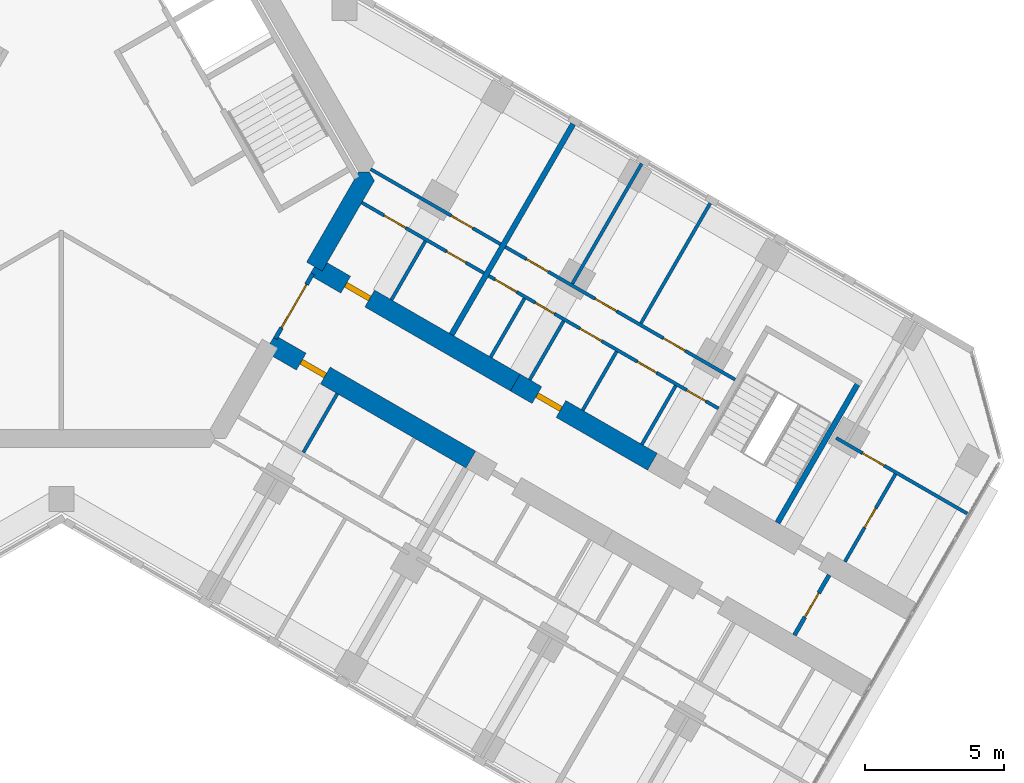
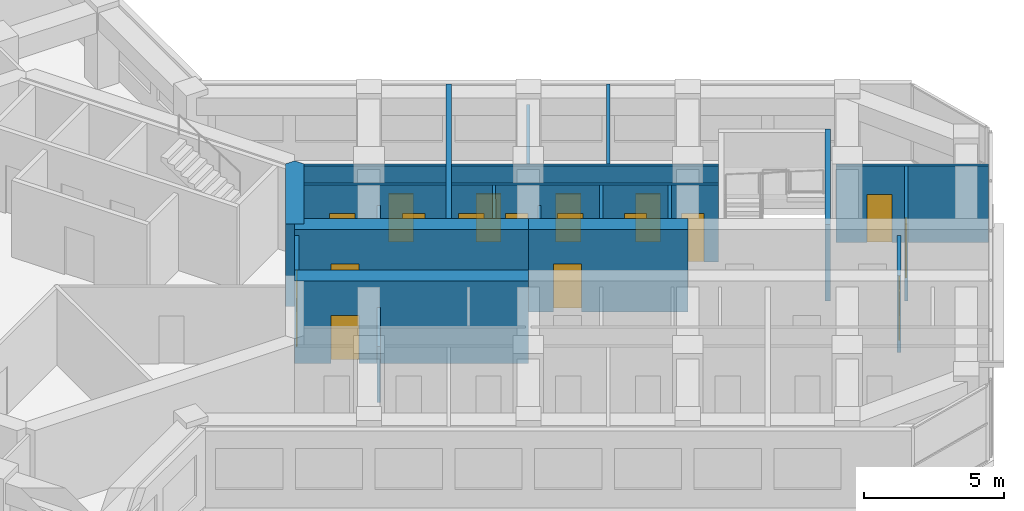
# One storey, part 12 of 16: 22 walls, 18 doors, 18 openings.
"""IFC4 building model written with IfcOpenShell, lengths in metres."""

from ifc_helpers import new_model, si_unit, direction, frame, frame_2d, origin, place, context, subcontext, project, spatial, polyline, rectangle, outline, extrude, material, layer, layer_set, type_object, element, fill, save


model = new_model("IFC4")

# Units and contexts
model_context = context("Model", 3, precision=1e-05, world=origin(), true_north=direction((0.0, 1.0)))
body_context = subcontext(model_context, "Body", "Model", "MODEL_VIEW")
ifc_project = project(units=[si_unit("LENGTHUNIT", "METRE"), si_unit("AREAUNIT", "SQUARE_METRE"), si_unit("VOLUMEUNIT", "CUBIC_METRE"), si_unit("PLANEANGLEUNIT", "RADIAN"), si_unit("MASSUNIT", "GRAM", prefix="KILO")], contexts=[model_context])

# Site, building, storey
site_placement = place(None, origin())
site = spatial("IfcSite", under=ifc_project, at=site_placement, CompositionType="ELEMENT")
building_placement = place(site_placement, origin())
building = spatial("IfcBuilding", under=site, at=building_placement, Name="Kosmar Iwan School Tower", CompositionType="ELEMENT")
storey_placement = place(building_placement, frame((0.0, 0.0, 204.60009765625)))
storey = spatial("IfcBuildingStorey", under=building, at=storey_placement, Name="L51", CompositionType="ELEMENT", Elevation=204.60009765625)

# Wall
ifc_material_1 = material(Name="Concrete C50/60", Category="concrete")
ifc_layer_1 = layer(ifc_material_1, 0.64990234375)
ifc_layer_set_1 = layer_set([ifc_layer_1], Name="Core wall 650")
wall_type_1 = type_object("IfcWallType", Name="Core wall 650", PredefinedType="SHEAR", material=ifc_layer_set_1)
wall_1_placement = place(storey_placement, origin())
element("IfcWall", 1, at=wall_1_placement, inside=storey, type_object=wall_type_1, Name="Core wall F330b", PredefinedType="SHEAR", context=body_context, shape_type="SweptSolid", body=[
    extrude(outline(polyline([(9.395263671875, -3.576904296875), (11.272705078125, -0.324951171875), (11.085205078125, 0.0), (10.7099609375, 0.0), (8.832275390625, -3.251953125), (9.395263671875, -3.576904296875)])), origin(), (0.0, 0.0, 1.0), 3.599853515625),
])

# Wall, opening, door
ifc_material_2 = material(Name="Concrete C50/60", Category="concrete")
ifc_layer_2 = layer(ifc_material_2, 0.699951171875)
ifc_layer_set_2 = layer_set([ifc_layer_2], Name="Corridor buttress wall 700")
wall_type_2 = type_object("IfcWallType", Name="Corridor buttress wall 700", PredefinedType="SHEAR", material=ifc_layer_set_2)
wall_2_placement = place(storey_placement, frame((9.11376953125, -3.414306640625, 0.0), z_axis=(0.0, 0.0, 1.0), x_axis=(0.866026859388, -0.499997478812, 0.0)))
wall_2 = element("IfcWall", 2, at=wall_2_placement, inside=storey, type_object=wall_type_2, Name="Corridor wall CL", PredefinedType="SHEAR", context=body_context, shape_type="SweptSolid", body=[
    extrude(rectangle(XDim=8.35009765625, YDim=0.699951171875, at=frame_2d((4.175048828125, 0.0))), origin(), (0.0, 0.0, 1.0), 3.599853515625),
])
opening_1_placement = place(wall_2_placement, frame((1.300048828125, 0.0, 0.0)))
opening_1 = element("IfcOpeningElement", 3, at=opening_1_placement, cuts=wall_2, Name="Opening D1", PredefinedType="OPENING", context=body_context, shape_type="SweptSolid", body=[
    extrude(rectangle(XDim=1.0, YDim=2.10009765625, at=frame_2d((0.5, 1.050048828125))), frame((0.0, 0.362060546875, 0.0), z_axis=(0.0, -1.0, 0.0), x_axis=(1.0, 0.0, 0.0)), (0.0, 0.0, 1.0), 0.723876953125),
])
ifc_material_3 = material(Name="Timber fire door in steel frame", Category="steel")
door_type_1 = type_object("IfcDoorType", Name="Flat entrance door 1000x2100", OperationType="SINGLE_SWING_LEFT", PredefinedType="DOOR", material=ifc_material_3)
door_1_placement = place(opening_1_placement, origin())
door_1 = element("IfcDoor", 4, at=door_1_placement, inside=storey, type_object=door_type_1, Name="Flat L51-CL1 entrance door", OperationType="SINGLE_SWING_RIGHT", OverallHeight=2.10009765625, OverallWidth=1.0, PredefinedType="DOOR", context=body_context, shape_type="SweptSolid", body=[
    extrude(rectangle(XDim=1.0, YDim=2.10009765625, at=frame_2d((0.5, 1.050048828125))), frame((0.0, 0.10009765625, 0.0), z_axis=(0.0, -1.0, 0.0), x_axis=(1.0, 0.0, 0.0)), (0.0, 0.0, 1.0), 0.199951171875),
])
fill(opening_1, door_1)

wall_3_placement = place(storey_placement, frame((16.34521484375, -7.58935546875, 0.0), z_axis=(0.0, 0.0, 1.0), x_axis=(0.866015111908, -0.50001782563, 0.0)))
wall_3 = element("IfcWall", 5, at=wall_3_placement, inside=storey, type_object=wall_type_2, Name="Corridor wall CL bay 2", PredefinedType="SHEAR", context=body_context, shape_type="SweptSolid", body=[
    extrude(rectangle(XDim=5.699951171875, YDim=0.699951171875, at=frame_2d((2.85009765625, 0.0))), origin(), (0.0, 0.0, 1.0), 3.599853515625),
])
opening_2_placement = place(wall_3_placement, frame((0.89990234375, 0.0, 0.0)))
opening_2 = element("IfcOpeningElement", 6, at=opening_2_placement, cuts=wall_3, Name="Opening D1", PredefinedType="OPENING", context=body_context, shape_type="SweptSolid", body=[
    extrude(rectangle(XDim=1.0, YDim=2.10009765625, at=frame_2d((0.5, 1.050048828125))), frame((0.0, 0.362060546875, 0.0), z_axis=(0.0, -1.0, 0.0), x_axis=(1.0, 0.0, 0.0)), (0.0, 0.0, 1.0), 0.723876953125),
])
door_2_placement = place(opening_2_placement, origin())
door_2 = element("IfcDoor", 7, at=door_2_placement, inside=storey, type_object=door_type_1, Name="Flat L51-CL2 entrance door", OperationType="SINGLE_SWING_LEFT", OverallHeight=2.10009765625, OverallWidth=1.0, PredefinedType="DOOR", context=body_context, shape_type="SweptSolid", body=[
    extrude(rectangle(XDim=1.0, YDim=2.10009765625, at=frame_2d((0.5, 1.050048828125))), frame((0.0, 0.10009765625, 0.0), z_axis=(0.0, -1.0, 0.0), x_axis=(1.0, 0.0, 0.0)), (0.0, 0.0, 1.0), 0.199951171875),
])
fill(opening_2, door_2)

wall_4_placement = place(storey_placement, frame((7.513916015625, -6.185546875, 0.0), z_axis=(0.0, 0.0, 1.0), x_axis=(0.866019549707, -0.500010139422, 0.0)))
wall_4 = element("IfcWall", 8, at=wall_4_placement, inside=storey, type_object=wall_type_2, Name="Corridor wall CR", PredefinedType="SHEAR", context=body_context, shape_type="SweptSolid", body=[
    extrude(rectangle(XDim=8.349853515625, YDim=0.699951171875, at=frame_2d((4.1748046875, 0.0))), origin(), (0.0, 0.0, 1.0), 3.599853515625),
])
opening_3_placement = place(wall_4_placement, frame((1.300048828125, 0.0, 0.0)))
opening_3 = element("IfcOpeningElement", 9, at=opening_3_placement, cuts=wall_4, Name="Opening D1", PredefinedType="OPENING", context=body_context, shape_type="SweptSolid", body=[
    extrude(rectangle(XDim=1.0, YDim=2.10009765625, at=frame_2d((0.5, 1.050048828125))), frame((0.0, 0.362060546875, 0.0), z_axis=(0.0, -1.0, 0.0), x_axis=(1.0, 0.0, 0.0)), (0.0, 0.0, 1.0), 0.723876953125),
])
door_3_placement = place(opening_3_placement, origin())
door_3 = element("IfcDoor", 10, at=door_3_placement, inside=storey, type_object=door_type_1, Name="Flat L51-CR1 entrance door", OperationType="SINGLE_SWING_LEFT", OverallHeight=2.10009765625, OverallWidth=1.0, PredefinedType="DOOR", context=body_context, shape_type="SweptSolid", body=[
    extrude(rectangle(XDim=1.0, YDim=2.10009765625, at=frame_2d((0.5, 1.050048828125))), frame((0.0, 0.10009765625, 0.0), z_axis=(0.0, -1.0, 0.0), x_axis=(1.0, 0.0, 0.0)), (0.0, 0.0, 1.0), 0.199951171875),
])
fill(opening_3, door_3)

ifc_material_4 = material(Name="Gypsum board on steel studs, fire-rated", Category="steel")
ifc_layer_3 = layer(ifc_material_4, 0.14990234375)
ifc_layer_set_3 = layer_set([ifc_layer_3], Name="Corridor end wall 150")
wall_type_3 = type_object("IfcWallType", Name="Corridor end wall 150", PredefinedType="PARTITIONING", material=ifc_layer_set_3)
wall_5_placement = place(storey_placement, frame((26.39501953125, -16.6826171875, 0.0), z_axis=(0.0, 0.0, 1.0), x_axis=(0.500004234368, 0.866022959057, 0.0)))
wall_5 = element("IfcWall", 11, at=wall_5_placement, inside=storey, type_object=wall_type_3, Name="Partition L51-C-CE", PredefinedType="PARTITIONING", context=body_context, shape_type="SweptSolid", body=[
    extrude(rectangle(XDim=2.5, YDim=0.14990234375, at=frame_2d((1.25, 0.0))), origin(), (0.0, 0.0, 1.0), 3.349853515625),
])
opening_4_placement = place(wall_5_placement, frame((0.75, 0.0, 0.0)))
opening_4 = element("IfcOpeningElement", 12, at=opening_4_placement, cuts=wall_5, Name="Opening D13", PredefinedType="OPENING", context=body_context, shape_type="SweptSolid", body=[
    extrude(rectangle(XDim=1.0, YDim=2.10009765625, at=frame_2d((0.5, 1.050048828125))), frame((0.0, 0.0869140625, 0.0), z_axis=(0.0, -1.0, 0.0), x_axis=(1.0, 0.0, 0.0)), (0.0, 0.0, 1.0), 0.173828125),
])
ifc_material_5 = material(Name="Timber fire door with vision panel", Category="wood")
door_type_2 = type_object("IfcDoorType", Name="Corridor end door 1000x2100", OperationType="SINGLE_SWING_LEFT", PredefinedType="DOOR", material=ifc_material_5)
door_4_placement = place(opening_4_placement, origin())
door_4 = element("IfcDoor", 13, at=door_4_placement, inside=storey, type_object=door_type_2, Name="Laundry and drying room door L51-C", OperationType="SINGLE_SWING_RIGHT", OverallHeight=2.10009765625, OverallWidth=1.0, PredefinedType="DOOR", context=body_context, shape_type="SweptSolid", body=[
    extrude(rectangle(XDim=1.0, YDim=2.10009765625, at=frame_2d((0.5, 1.050048828125))), frame((0.0, 0.02490234375, 0.0), z_axis=(0.0, -1.0, 0.0), x_axis=(1.0, 0.0, 0.0)), (0.0, 0.0, 1.0), 0.050048828125),
])
fill(opening_4, door_4)

ifc_material_6 = material(Name="Steel framed glazed screen", Category="steel")
ifc_layer_4 = layer(ifc_material_6, 0.14990234375)
ifc_layer_set_4 = layer_set([ifc_layer_4], Name="Corridor screen wall 150")
wall_type_4 = type_object("IfcWallType", Name="Corridor screen wall 150", PredefinedType="PARTITIONING", material=ifc_layer_set_4)
wall_6_placement = place(storey_placement, frame((7.703857421875, -6.006591796875, 0.0), z_axis=(0.0, 0.0, 1.0), x_axis=(0.499980770555, 0.866036505625, 0.0)))
wall_6 = element("IfcWall", 14, at=wall_6_placement, inside=storey, type_object=wall_type_4, Name="Corridor screen C L51", PredefinedType="PARTITIONING", context=body_context, shape_type="SweptSolid", body=[
    extrude(rectangle(XDim=2.69970703125, YDim=0.14990234375, at=frame_2d((1.349853515625, 0.0))), origin(), (0.0, 0.0, 1.0), 3.349853515625),
])
opening_5_placement = place(wall_6_placement, frame((0.449951171875, 0.0, 0.0)))
opening_5 = element("IfcOpeningElement", 15, at=opening_5_placement, cuts=wall_6, Name="Opening D9", PredefinedType="OPENING", context=body_context, shape_type="SweptSolid", body=[
    extrude(rectangle(XDim=1.800048828125, YDim=2.10009765625, at=frame_2d((0.89990234375, 1.050048828125))), frame((0.0, 0.0869140625, 0.0), z_axis=(0.0, -1.0, 0.0), x_axis=(1.0, 0.0, 0.0)), (0.0, 0.0, 1.0), 0.173828125),
])
ifc_material_7 = material(Name="Steel framed glazed smoke door", Category="steel")
door_type_3 = type_object("IfcDoorType", Name="Corridor smoke door pair 1800x2100", OperationType="DOUBLE_DOOR_DOUBLE_SWING", PredefinedType="DOOR", material=ifc_material_7)
door_5_placement = place(opening_5_placement, origin())
door_5 = element("IfcDoor", 16, at=door_5_placement, inside=storey, type_object=door_type_3, Name="Corridor doors C L51", OperationType="DOUBLE_DOOR_DOUBLE_SWING", OverallHeight=2.10009765625, OverallWidth=1.800048828125, PredefinedType="DOOR", context=body_context, shape_type="SweptSolid", body=[
    extrude(rectangle(XDim=1.800048828125, YDim=2.10009765625, at=frame_2d((0.89990234375, 1.050048828125))), frame((0.0, 0.02490234375, 0.0), z_axis=(0.0, -1.0, 0.0), x_axis=(1.0, 0.0, 0.0)), (0.0, 0.0, 1.0), 0.050048828125),
])
fill(opening_5, door_5)

# Wall, openings, doors
ifc_material_8 = material(Name="Gypsum board on steel studs", Category="steel")
ifc_layer_5 = layer(ifc_material_8, 0.1201171875)
ifc_layer_set_5 = layer_set([ifc_layer_5], Name="Dwelling partition 120")
wall_type_5 = type_object("IfcWallType", Name="Dwelling partition 120", PredefinedType="PARTITIONING", material=ifc_layer_set_5)
wall_7_placement = place(storey_placement, frame((10.8203125, -1.108642578125, 0.0), z_axis=(0.0, 0.0, 1.0), x_axis=(0.866014145503, -0.500019499409, 0.0)))
wall_7 = element("IfcWall", 17, at=wall_7_placement, inside=storey, type_object=wall_type_5, Name="Partition L51-CL1-W1", PredefinedType="PARTITIONING", context=body_context, shape_type="SweptSolid", body=[
    extrude(rectangle(XDim=5.074951171875, YDim=0.1201171875, at=frame_2d((2.53759765625, 0.0))), origin(), (0.0, 0.0, 1.0), 3.349853515625),
])
opening_6_placement = place(wall_7_placement, frame((0.925048828125, 0.0, 0.0)))
opening_6 = element("IfcOpeningElement", 18, at=opening_6_placement, cuts=wall_7, Name="Opening D2", PredefinedType="OPENING", context=body_context, shape_type="SweptSolid", body=[
    extrude(rectangle(XDim=0.89990234375, YDim=2.10009765625, at=frame_2d((0.449951171875, 1.050048828125))), frame((0.0, 0.072021484375, 0.0), z_axis=(0.0, -1.0, 0.0), x_axis=(1.0, 0.0, 0.0)), (0.0, 0.0, 1.0), 0.14404296875),
])
opening_7_placement = place(wall_7_placement, frame((3.52490234375, 0.0, 0.0)))
opening_7 = element("IfcOpeningElement", 19, at=opening_7_placement, cuts=wall_7, Name="Opening D3", PredefinedType="OPENING", context=body_context, shape_type="SweptSolid", body=[
    extrude(rectangle(XDim=0.800048828125, YDim=2.10009765625, at=frame_2d((0.39990234375, 1.050048828125))), frame((0.0, 0.072021484375, 0.0), z_axis=(0.0, -1.0, 0.0), x_axis=(1.0, 0.0, 0.0)), (0.0, 0.0, 1.0), 0.14404296875),
])
ifc_material_9 = material(Name="Timber door in timber frame", Category="wood")
door_type_4 = type_object("IfcDoorType", Name="Internal door 900x2100", OperationType="SINGLE_SWING_LEFT", PredefinedType="DOOR", material=ifc_material_9)
door_6_placement = place(opening_6_placement, origin())
door_6 = element("IfcDoor", 20, at=door_6_placement, inside=storey, type_object=door_type_4, Name="Entrance hall door L51-CL1-S1", OperationType="SINGLE_SWING_LEFT", OverallHeight=2.10009765625, OverallWidth=0.89990234375, PredefinedType="DOOR", context=body_context, shape_type="SweptSolid", body=[
    extrude(rectangle(XDim=0.89990234375, YDim=2.10009765625, at=frame_2d((0.449951171875, 1.050048828125))), frame((0.0, 0.02490234375, 0.0), z_axis=(0.0, -1.0, 0.0), x_axis=(1.0, 0.0, 0.0)), (0.0, 0.0, 1.0), 0.050048828125),
])
fill(opening_6, door_6)
ifc_material_10 = material(Name="Timber door in timber frame", Category="wood")
door_type_5 = type_object("IfcDoorType", Name="Sanitary room door 800x2100", OperationType="SINGLE_SWING_LEFT", PredefinedType="DOOR", material=ifc_material_10)
door_7_placement = place(opening_7_placement, origin())
door_7 = element("IfcDoor", 21, at=door_7_placement, inside=storey, type_object=door_type_5, Name="Bathroom door L51-CL1-S2", OperationType="SINGLE_SWING_RIGHT", OverallHeight=2.10009765625, OverallWidth=0.800048828125, PredefinedType="DOOR", context=body_context, shape_type="SweptSolid", body=[
    extrude(rectangle(XDim=0.800048828125, YDim=2.10009765625, at=frame_2d((0.39990234375, 1.050048828125))), frame((0.0, 0.02490234375, 0.0), z_axis=(0.0, -1.0, 0.0), x_axis=(1.0, 0.0, 0.0)), (0.0, 0.0, 1.0), 0.050048828125),
])
fill(opening_7, door_7)

# Wall, opening, door
wall_8_placement = place(storey_placement, frame((11.138916015625, 0.093017578125, 0.0), z_axis=(0.0, 0.0, 1.0), x_axis=(0.866028230842, -0.499995103361, 0.0)))
wall_8 = element("IfcWall", 22, at=wall_8_placement, inside=storey, type_object=wall_type_5, Name="Partition L51-CL1-W2", PredefinedType="PARTITIONING", context=body_context, shape_type="SweptSolid", body=[
    extrude(rectangle(XDim=5.39990234375, YDim=0.1201171875, at=frame_2d((2.699951171875, 0.0))), origin(), (0.0, 0.0, 1.0), 3.349853515625),
])
opening_8_placement = place(wall_8_placement, frame((3.35009765625, 0.0, 0.0)))
opening_8 = element("IfcOpeningElement", 23, at=opening_8_placement, cuts=wall_8, Name="Opening D2", PredefinedType="OPENING", context=body_context, shape_type="SweptSolid", body=[
    extrude(rectangle(XDim=0.89990234375, YDim=2.10009765625, at=frame_2d((0.449951171875, 1.050048828125))), frame((0.0, 0.072021484375, 0.0), z_axis=(0.0, -1.0, 0.0), x_axis=(1.0, 0.0, 0.0)), (0.0, 0.0, 1.0), 0.14404296875),
])
door_8_placement = place(opening_8_placement, origin())
door_8 = element("IfcDoor", 24, at=door_8_placement, inside=storey, type_object=door_type_4, Name="Studio living room and kitchen door L51-CL1-F1", OperationType="SINGLE_SWING_RIGHT", OverallHeight=2.10009765625, OverallWidth=0.89990234375, PredefinedType="DOOR", context=body_context, shape_type="SweptSolid", body=[
    extrude(rectangle(XDim=0.89990234375, YDim=2.10009765625, at=frame_2d((0.449951171875, 1.050048828125))), frame((0.0, 0.02490234375, 0.0), z_axis=(0.0, -1.0, 0.0), x_axis=(1.0, 0.0, 0.0)), (0.0, 0.0, 1.0), 0.050048828125),
])
fill(opening_8, door_8)

# Wall
wall_9_placement = place(storey_placement, frame((11.886962890625, -4.611328125, 0.0), z_axis=(0.0, 0.0, 1.0), x_axis=(0.499959183527, 0.866048967903, 0.0)))
element("IfcWall", 25, at=wall_9_placement, inside=storey, type_object=wall_type_5, Name="Partition L51-CL1-Y1", PredefinedType="PARTITIONING", context=body_context, shape_type="SweptSolid", body=[
    extrude(rectangle(XDim=2.440185546875, YDim=0.1201171875, at=frame_2d((1.22021484375, 0.0))), origin(), (0.0, 0.0, 1.0), 2.449951171875),
])

# Wall, openings, doors
wall_10_placement = place(storey_placement, frame((15.388671875, -3.74609375, 0.0), z_axis=(0.0, 0.0, 1.0), x_axis=(0.866017851049, -0.500013081493, 0.0)))
wall_10 = element("IfcWall", 26, at=wall_10_placement, inside=storey, type_object=wall_type_5, Name="Partition L51-CL2-W1", PredefinedType="PARTITIONING", context=body_context, shape_type="SweptSolid", body=[
    extrude(rectangle(XDim=9.550048828125, YDim=0.1201171875, at=frame_2d((4.77490234375, 0.0))), origin(), (0.0, 0.0, 1.0), 3.349853515625),
])
opening_9_placement = place(wall_10_placement, frame((0.262451171875, 0.0, 0.0)))
opening_9 = element("IfcOpeningElement", 27, at=opening_9_placement, cuts=wall_10, Name="Opening D2", PredefinedType="OPENING", context=body_context, shape_type="SweptSolid", body=[
    extrude(rectangle(XDim=0.89990234375, YDim=2.10009765625, at=frame_2d((0.449951171875, 1.050048828125))), frame((0.0, 0.072021484375, 0.0), z_axis=(0.0, -1.0, 0.0), x_axis=(1.0, 0.0, 0.0)), (0.0, 0.0, 1.0), 0.14404296875),
])
opening_10_placement = place(wall_10_placement, frame((1.9375, 0.0, 0.0)))
opening_10 = element("IfcOpeningElement", 28, at=opening_10_placement, cuts=wall_10, Name="Opening D3", PredefinedType="OPENING", context=body_context, shape_type="SweptSolid", body=[
    extrude(rectangle(XDim=0.800048828125, YDim=2.10009765625, at=frame_2d((0.39990234375, 1.050048828125))), frame((0.0, 0.072021484375, 0.0), z_axis=(0.0, -1.0, 0.0), x_axis=(1.0, 0.0, 0.0)), (0.0, 0.0, 1.0), 0.14404296875),
])
opening_11_placement = place(wall_10_placement, frame((3.800048828125, 0.0, 0.0)))
opening_11 = element("IfcOpeningElement", 29, at=opening_11_placement, cuts=wall_10, Name="Opening D2", PredefinedType="OPENING", context=body_context, shape_type="SweptSolid", body=[
    extrude(rectangle(XDim=0.89990234375, YDim=2.10009765625, at=frame_2d((0.449951171875, 1.050048828125))), frame((0.0, 0.072021484375, 0.0), z_axis=(0.0, -1.0, 0.0), x_axis=(1.0, 0.0, 0.0)), (0.0, 0.0, 1.0), 0.14404296875),
])
opening_12_placement = place(wall_10_placement, frame((6.179931640625, 0.0, 0.0)))
opening_12 = element("IfcOpeningElement", 30, at=opening_12_placement, cuts=wall_10, Name="Opening D3", PredefinedType="OPENING", context=body_context, shape_type="SweptSolid", body=[
    extrude(rectangle(XDim=0.800048828125, YDim=2.10009765625, at=frame_2d((0.39990234375, 1.050048828125))), frame((0.0, 0.072021484375, 0.0), z_axis=(0.0, -1.0, 0.0), x_axis=(1.0, 0.0, 0.0)), (0.0, 0.0, 1.0), 0.14404296875),
])
opening_13_placement = place(wall_10_placement, frame((8.22998046875, 0.0, 0.0)))
opening_13 = element("IfcOpeningElement", 31, at=opening_13_placement, cuts=wall_10, Name="Opening D3", PredefinedType="OPENING", context=body_context, shape_type="SweptSolid", body=[
    extrude(rectangle(XDim=0.800048828125, YDim=2.10009765625, at=frame_2d((0.39990234375, 1.050048828125))), frame((0.0, 0.072021484375, 0.0), z_axis=(0.0, -1.0, 0.0), x_axis=(1.0, 0.0, 0.0)), (0.0, 0.0, 1.0), 0.14404296875),
])
door_9_placement = place(opening_9_placement, origin())
door_9 = element("IfcDoor", 32, at=door_9_placement, inside=storey, type_object=door_type_4, Name="Pantry door L51-CL2-S1", OperationType="SINGLE_SWING_LEFT", OverallHeight=2.10009765625, OverallWidth=0.89990234375, PredefinedType="DOOR", context=body_context, shape_type="SweptSolid", body=[
    extrude(rectangle(XDim=0.89990234375, YDim=2.10009765625, at=frame_2d((0.449951171875, 1.050048828125))), frame((0.0, 0.02490234375, 0.0), z_axis=(0.0, -1.0, 0.0), x_axis=(1.0, 0.0, 0.0)), (0.0, 0.0, 1.0), 0.050048828125),
])
fill(opening_9, door_9)
door_10_placement = place(opening_11_placement, origin())
door_10 = element("IfcDoor", 33, at=door_10_placement, inside=storey, type_object=door_type_4, Name="Entrance hall door L51-CL2-S3", OperationType="SINGLE_SWING_LEFT", OverallHeight=2.10009765625, OverallWidth=0.89990234375, PredefinedType="DOOR", context=body_context, shape_type="SweptSolid", body=[
    extrude(rectangle(XDim=0.89990234375, YDim=2.10009765625, at=frame_2d((0.449951171875, 1.050048828125))), frame((0.0, 0.02490234375, 0.0), z_axis=(0.0, -1.0, 0.0), x_axis=(1.0, 0.0, 0.0)), (0.0, 0.0, 1.0), 0.050048828125),
])
fill(opening_11, door_10)
door_11_placement = place(opening_10_placement, origin())
door_11 = element("IfcDoor", 34, at=door_11_placement, inside=storey, type_object=door_type_5, Name="Grandparents' shower room door L51-CL2-S2", OperationType="SINGLE_SWING_LEFT", OverallHeight=2.10009765625, OverallWidth=0.800048828125, PredefinedType="DOOR", context=body_context, shape_type="SweptSolid", body=[
    extrude(rectangle(XDim=0.800048828125, YDim=2.10009765625, at=frame_2d((0.39990234375, 1.050048828125))), frame((0.0, 0.02490234375, 0.0), z_axis=(0.0, -1.0, 0.0), x_axis=(1.0, 0.0, 0.0)), (0.0, 0.0, 1.0), 0.050048828125),
])
fill(opening_10, door_11)
door_12_placement = place(opening_12_placement, origin())
door_12 = element("IfcDoor", 35, at=door_12_placement, inside=storey, type_object=door_type_5, Name="Bathroom door L51-CL2-S4", OperationType="SINGLE_SWING_RIGHT", OverallHeight=2.10009765625, OverallWidth=0.800048828125, PredefinedType="DOOR", context=body_context, shape_type="SweptSolid", body=[
    extrude(rectangle(XDim=0.800048828125, YDim=2.10009765625, at=frame_2d((0.39990234375, 1.050048828125))), frame((0.0, 0.02490234375, 0.0), z_axis=(0.0, -1.0, 0.0), x_axis=(1.0, 0.0, 0.0)), (0.0, 0.0, 1.0), 0.050048828125),
])
fill(opening_12, door_12)
door_13_placement = place(opening_13_placement, origin())
door_13 = element("IfcDoor", 36, at=door_13_placement, inside=storey, type_object=door_type_5, Name="Shower room door L51-CL2-S5", OperationType="SINGLE_SWING_RIGHT", OverallHeight=2.10009765625, OverallWidth=0.800048828125, PredefinedType="DOOR", context=body_context, shape_type="SweptSolid", body=[
    extrude(rectangle(XDim=0.800048828125, YDim=2.10009765625, at=frame_2d((0.39990234375, 1.050048828125))), frame((0.0, 0.02490234375, 0.0), z_axis=(0.0, -1.0, 0.0), x_axis=(1.0, 0.0, 0.0)), (0.0, 0.0, 1.0), 0.050048828125),
])
fill(opening_13, door_13)

wall_11_placement = place(storey_placement, frame((15.988525390625, -2.70703125, 0.0), z_axis=(0.0, 0.0, 1.0), x_axis=(0.866028920859, -0.499993908199, 0.0)))
wall_11 = element("IfcWall", 37, at=wall_11_placement, inside=storey, type_object=wall_type_5, Name="Partition L51-CL2-W2", PredefinedType="PARTITIONING", context=body_context, shape_type="SweptSolid", body=[
    extrude(rectangle(XDim=9.5498046875, YDim=0.1201171875, at=frame_2d((4.77490234375, 0.0))), origin(), (0.0, 0.0, 1.0), 3.349853515625),
])
opening_14_placement = place(wall_11_placement, frame((0.875, 0.0, 0.0)))
opening_14 = element("IfcOpeningElement", 38, at=opening_14_placement, cuts=wall_11, Name="Opening D2", PredefinedType="OPENING", context=body_context, shape_type="SweptSolid", body=[
    extrude(rectangle(XDim=0.89990234375, YDim=2.10009765625, at=frame_2d((0.449951171875, 1.050048828125))), frame((0.0, 0.072021484375, 0.0), z_axis=(0.0, -1.0, 0.0), x_axis=(1.0, 0.0, 0.0)), (0.0, 0.0, 1.0), 0.14404296875),
])
opening_15_placement = place(wall_11_placement, frame((3.72509765625, 0.0, 0.0)))
opening_15 = element("IfcOpeningElement", 39, at=opening_15_placement, cuts=wall_11, Name="Opening D2", PredefinedType="OPENING", context=body_context, shape_type="SweptSolid", body=[
    extrude(rectangle(XDim=0.89990234375, YDim=2.10009765625, at=frame_2d((0.449951171875, 1.050048828125))), frame((0.0, 0.072021484375, 0.0), z_axis=(0.0, -1.0, 0.0), x_axis=(1.0, 0.0, 0.0)), (0.0, 0.0, 1.0), 0.14404296875),
])
opening_16_placement = place(wall_11_placement, frame((6.574951171875, 0.0, 0.0)))
opening_16 = element("IfcOpeningElement", 40, at=opening_16_placement, cuts=wall_11, Name="Opening D2", PredefinedType="OPENING", context=body_context, shape_type="SweptSolid", body=[
    extrude(rectangle(XDim=0.89990234375, YDim=2.10009765625, at=frame_2d((0.449951171875, 1.050048828125))), frame((0.0, 0.072021484375, 0.0), z_axis=(0.0, -1.0, 0.0), x_axis=(1.0, 0.0, 0.0)), (0.0, 0.0, 1.0), 0.14404296875),
])
door_14_placement = place(opening_14_placement, origin())
door_14 = element("IfcDoor", 41, at=door_14_placement, inside=storey, type_object=door_type_4, Name="Living room and kitchen door L51-CL2-F1", OperationType="SINGLE_SWING_RIGHT", OverallHeight=2.10009765625, OverallWidth=0.89990234375, PredefinedType="DOOR", context=body_context, shape_type="SweptSolid", body=[
    extrude(rectangle(XDim=0.89990234375, YDim=2.10009765625, at=frame_2d((0.449951171875, 1.050048828125))), frame((0.0, 0.02490234375, 0.0), z_axis=(0.0, -1.0, 0.0), x_axis=(1.0, 0.0, 0.0)), (0.0, 0.0, 1.0), 0.050048828125),
])
fill(opening_14, door_14)
door_15_placement = place(opening_15_placement, origin())
door_15 = element("IfcDoor", 42, at=door_15_placement, inside=storey, type_object=door_type_4, Name="Grandparents' suite door L51-CL2-F2", OperationType="SINGLE_SWING_LEFT", OverallHeight=2.10009765625, OverallWidth=0.89990234375, PredefinedType="DOOR", context=body_context, shape_type="SweptSolid", body=[
    extrude(rectangle(XDim=0.89990234375, YDim=2.10009765625, at=frame_2d((0.449951171875, 1.050048828125))), frame((0.0, 0.02490234375, 0.0), z_axis=(0.0, -1.0, 0.0), x_axis=(1.0, 0.0, 0.0)), (0.0, 0.0, 1.0), 0.050048828125),
])
fill(opening_15, door_15)
door_16_placement = place(opening_16_placement, origin())
door_16 = element("IfcDoor", 43, at=door_16_placement, inside=storey, type_object=door_type_4, Name="Bedroom 1 door L51-CL2-F3", OperationType="SINGLE_SWING_RIGHT", OverallHeight=2.10009765625, OverallWidth=0.89990234375, PredefinedType="DOOR", context=body_context, shape_type="SweptSolid", body=[
    extrude(rectangle(XDim=0.89990234375, YDim=2.10009765625, at=frame_2d((0.449951171875, 1.050048828125))), frame((0.0, 0.02490234375, 0.0), z_axis=(0.0, -1.0, 0.0), x_axis=(1.0, 0.0, 0.0)), (0.0, 0.0, 1.0), 0.050048828125),
])
fill(opening_16, door_16)

# Walls
wall_12_placement = place(storey_placement, frame((18.400146484375, -4.030029296875, 0.0), z_axis=(0.0, 0.0, 1.0), x_axis=(0.500011847778, 0.866018563358, 0.0)))
element("IfcWall", 44, at=wall_12_placement, inside=storey, type_object=wall_type_5, Name="Partition L51-CL2-X1", PredefinedType="PARTITIONING", context=body_context, shape_type="SweptSolid", body=[
    extrude(rectangle(XDim=4.990234375, YDim=0.1201171875, at=frame_2d((2.4951171875, 0.0))), origin(), (0.0, 0.0, 1.0), 2.449951171875),
])
wall_13_placement = place(storey_placement, frame((20.868408203125, -5.455078125, 0.0), z_axis=(0.0, 0.0, 1.0), x_axis=(0.499975153383, 0.86603974851, 0.0)))
element("IfcWall", 45, at=wall_13_placement, inside=storey, type_object=wall_type_5, Name="Partition L51-CL2-X2", PredefinedType="PARTITIONING", context=body_context, shape_type="SweptSolid", body=[
    extrude(rectangle(XDim=4.989990234375, YDim=0.1201171875, at=frame_2d((2.4951171875, 0.0))), origin(), (0.0, 0.0, 1.0), 3.349853515625),
])
wall_14_placement = place(storey_placement, frame((15.459228515625, -6.673828125, 0.0), z_axis=(0.0, 0.0, 1.0), x_axis=(0.499959183527, 0.866048967903, 0.0)))
element("IfcWall", 46, at=wall_14_placement, inside=storey, type_object=wall_type_5, Name="Partition L51-CL2-Y1", PredefinedType="PARTITIONING", context=body_context, shape_type="SweptSolid", body=[
    extrude(rectangle(XDim=2.440185546875, YDim=0.1201171875, at=frame_2d((1.22021484375, 0.0))), origin(), (0.0, 0.0, 1.0), 3.349853515625),
])
wall_15_placement = place(storey_placement, frame((16.866455078125, -7.486328125, 0.0), z_axis=(0.0, 0.0, 1.0), x_axis=(0.500034220881, 0.866005645448, 0.0)))
element("IfcWall", 47, at=wall_15_placement, inside=storey, type_object=wall_type_5, Name="Partition L51-CL2-Y2", PredefinedType="PARTITIONING", context=body_context, shape_type="SweptSolid", body=[
    extrude(rectangle(XDim=2.440185546875, YDim=0.1201171875, at=frame_2d((1.22021484375, 0.0))), origin(), (0.0, 0.0, 1.0), 2.449951171875),
])
for number, where, z_axis, x_axis, name in (
    (48, (18.771728515625, -8.586181640625, 0.0), (0.0, 0.0, 1.0), (0.500077547548, 0.865980627057, 0.0), "Partition L51-CL2-Y3"),
    (49, (20.90234375, -9.816162109375, 0.0), (0.0, 0.0, 1.0), (0.500002508028, 0.866023955769, 0.0), "Partition L51-CL2-Y4"),
):
    element("IfcWall", number, at=place(storey_placement, frame(where, z_axis=z_axis, x_axis=x_axis)), inside=storey, type_object=wall_type_5, Name=name, PredefinedType="PARTITIONING", context=body_context, shape_type="SweptSolid", body=[
        extrude(rectangle(XDim=2.43994140625, YDim=0.1201171875, at=frame_2d((1.219970703125, 0.0))), origin(), (0.0, 0.0, 1.0), 3.349853515625),
    ])

# Wall, opening, door
wall_16_placement = place(storey_placement, frame((27.896484375, -9.58203125, 0.0), z_axis=(0.0, 0.0, 1.0), x_axis=(0.866035508231, -0.499982498177, 0.0)))
wall_16 = element("IfcWall", 50, at=wall_16_placement, inside=storey, type_object=wall_type_5, Name="Partition L51-CL3-TW", PredefinedType="PARTITIONING", context=body_context, shape_type="SweptSolid", body=[
    extrude(rectangle(XDim=5.445068359375, YDim=0.1201171875, at=frame_2d((2.72265625, 0.0))), origin(), (0.0, 0.0, 1.0), 3.349853515625),
])
opening_17_placement = place(wall_16_placement, frame((1.10009765625, 0.0, 0.0)))
opening_17 = element("IfcOpeningElement", 51, at=opening_17_placement, cuts=wall_16, Name="Opening D2", PredefinedType="OPENING", context=body_context, shape_type="SweptSolid", body=[
    extrude(rectangle(XDim=0.89990234375, YDim=2.10009765625, at=frame_2d((0.449951171875, 1.050048828125))), frame((0.0, 0.072021484375, 0.0), z_axis=(0.0, -1.0, 0.0), x_axis=(1.0, 0.0, 0.0)), (0.0, 0.0, 1.0), 0.14404296875),
])
door_17_placement = place(opening_17_placement, origin())
door_17 = element("IfcDoor", 52, at=door_17_placement, inside=storey, type_object=door_type_4, Name="Entrance hall door L51-CL3-T3", OperationType="SINGLE_SWING_LEFT", OverallHeight=2.10009765625, OverallWidth=0.89990234375, PredefinedType="DOOR", context=body_context, shape_type="SweptSolid", body=[
    extrude(rectangle(XDim=0.89990234375, YDim=2.10009765625, at=frame_2d((0.449951171875, 1.050048828125))), frame((0.0, 0.02490234375, 0.0), z_axis=(0.0, -1.0, 0.0), x_axis=(1.0, 0.0, 0.0)), (0.0, 0.0, 1.0), 0.050048828125),
])
fill(opening_17, door_17)

wall_17_placement = place(storey_placement, frame((28.21142578125, -14.036376953125, 0.0), z_axis=(0.0, 0.0, 1.0), x_axis=(0.499983701346, 0.866034813612, 0.0)))
wall_17 = element("IfcWall", 53, at=wall_17_placement, inside=storey, type_object=wall_type_5, Name="Partition L51-CL3-TY", PredefinedType="PARTITIONING", context=body_context, shape_type="SweptSolid", body=[
    extrude(rectangle(XDim=3.64013671875, YDim=0.1201171875, at=frame_2d((1.820068359375, 0.0))), origin(), (0.0, 0.0, 1.0), 3.349853515625),
])
opening_18_placement = place(wall_17_placement, frame((1.419921875, 0.0, 0.0)))
opening_18 = element("IfcOpeningElement", 54, at=opening_18_placement, cuts=wall_17, Name="Opening D3", PredefinedType="OPENING", context=body_context, shape_type="SweptSolid", body=[
    extrude(rectangle(XDim=0.800048828125, YDim=2.10009765625, at=frame_2d((0.39990234375, 1.050048828125))), frame((0.0, 0.072021484375, 0.0), z_axis=(0.0, -1.0, 0.0), x_axis=(1.0, 0.0, 0.0)), (0.0, 0.0, 1.0), 0.14404296875),
])
door_18_placement = place(opening_18_placement, origin())
door_18 = element("IfcDoor", 55, at=door_18_placement, inside=storey, type_object=door_type_5, Name="Bathroom door L51-CL3-T4", OperationType="SINGLE_SWING_RIGHT", OverallHeight=2.10009765625, OverallWidth=0.800048828125, PredefinedType="DOOR", context=body_context, shape_type="SweptSolid", body=[
    extrude(rectangle(XDim=0.800048828125, YDim=2.10009765625, at=frame_2d((0.39990234375, 1.050048828125))), frame((0.0, 0.02490234375, 0.0), z_axis=(0.0, -1.0, 0.0), x_axis=(1.0, 0.0, 0.0)), (0.0, 0.0, 1.0), 0.050048828125),
])
fill(opening_18, door_18)

# Walls
wall_18_placement = place(storey_placement, frame((9.93701171875, -7.98876953125, 0.0), z_axis=(0.0, 0.0, 1.0), x_axis=(-0.500077547548, -0.865980627057, 0.0)))
element("IfcWall", 56, at=wall_18_placement, inside=storey, type_object=wall_type_5, Name="Partition L51-CR1-Y1", PredefinedType="PARTITIONING", context=body_context, shape_type="SweptSolid", body=[
    extrude(rectangle(XDim=2.43994140625, YDim=0.1201171875, at=frame_2d((1.219970703125, 0.0))), origin(), (0.0, 0.0, 1.0), 2.449951171875),
])
ifc_material_11 = material(Name="Concrete C35/45", Category="concrete")
ifc_layer_6 = layer(ifc_material_11, 0.199951171875)
ifc_layer_set_6 = layer_set([ifc_layer_6], Name="Escape stair wall 200")
wall_type_6 = type_object("IfcWallType", Name="Escape stair wall 200", PredefinedType="SHEAR", material=ifc_layer_set_6)
wall_19_placement = place(storey_placement, frame((25.78662109375, -12.63623046875, 0.0), z_axis=(0.0, 0.0, 1.0), x_axis=(0.500013701029, 0.866017493347, 0.0)))
element("IfcWall", 57, at=wall_19_placement, inside=storey, type_object=wall_type_6, Name="Stair WS3 wall", PredefinedType="SHEAR", context=body_context, shape_type="SweptSolid", body=[
    extrude(rectangle(XDim=5.949951171875, YDim=0.199951171875, at=frame_2d((2.97509765625, 0.0))), origin(), (0.0, 0.0, 1.0), 3.329833984375),
])
ifc_material_12 = material(Name="Concrete block masonry", Category="masonry")
ifc_layer_7 = layer(ifc_material_12, 0.199951171875)
ifc_layer_set_7 = layer_set([ifc_layer_7], Name="Party wall 200")
wall_type_7 = type_object("IfcWallType", Name="Party wall 200", PredefinedType="PARTITIONING", material=ifc_layer_set_7)
wall_20_placement = place(storey_placement, frame((14.052001953125, -5.861328125, 0.0), z_axis=(0.0, 0.0, 1.0), x_axis=(0.499992152613, 0.866029934428, 0.0)))
element("IfcWall", 58, at=wall_20_placement, inside=storey, type_object=wall_type_7, Name="Partition L51-CL2-PW", PredefinedType="PARTITIONING", context=body_context, shape_type="SweptSolid", body=[
    extrude(rectangle(XDim=8.750244140625, YDim=0.199951171875, at=frame_2d((4.375, 0.0))), origin(), (0.0, 0.0, 1.0), 3.349853515625),
])

save(model, "model.ifc")
